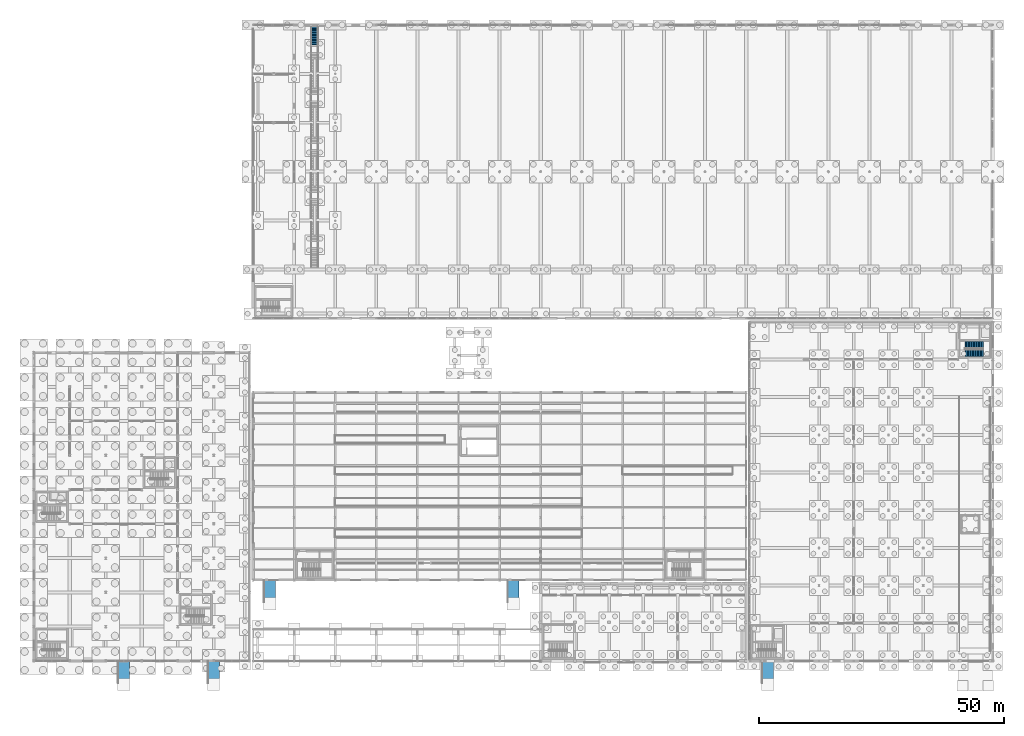
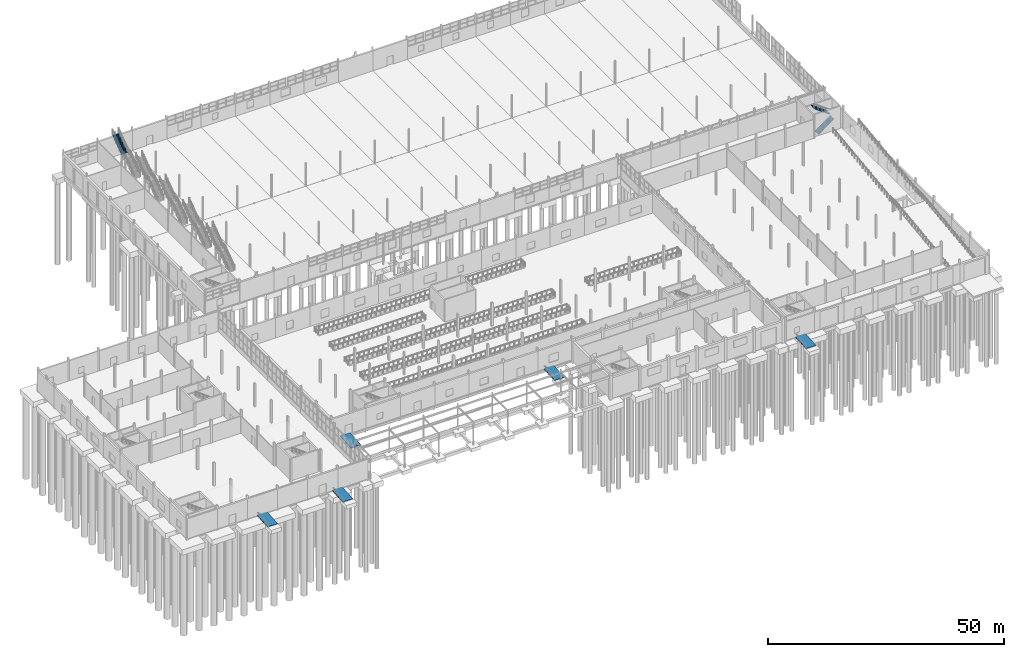
# One storey, part 133 of 139: 5 ramp flights, 3 stair flights, 7 elements without a shape of their own.
"""IFC4 building model written with IfcOpenShell, lengths in metres."""

from ifc_helpers import new_model, si_unit, direction, frame, origin, place, context, subcontext, project, spatial, polyline, outline, extrude, material, layer, layer_set, type_object, element, aggregate, save


model = new_model("IFC4")

# Units and contexts
model_context = context("Model", 3, precision=1e-05, world=origin(), true_north=direction((0.0, 1.0)))
body_context = subcontext(model_context, "Body", "Model", "MODEL_VIEW")
ifc_project = project(units=[si_unit("LENGTHUNIT", "METRE"), si_unit("AREAUNIT", "SQUARE_METRE"), si_unit("VOLUMEUNIT", "CUBIC_METRE"), si_unit("PLANEANGLEUNIT", "RADIAN"), si_unit("MASSUNIT", "GRAM", prefix="KILO")], contexts=[model_context])

# Site, building, storey
site_placement = place(None, origin())
site = spatial("IfcSite", under=ifc_project, at=site_placement, CompositionType="ELEMENT")
building_placement = place(site_placement, origin())
building = spatial("IfcBuilding", under=site, at=building_placement, Name="Kazenagashi Tramway Depot", CompositionType="ELEMENT")
storey_placement = place(building_placement, origin())
storey = spatial("IfcBuildingStorey", under=building, at=storey_placement, Name="L01", CompositionType="ELEMENT", Elevation=0.0)

# Stair, stair flights
ifc_material = material(Name="Concrete Fc36", Category="concrete")
stair_type_1 = type_object("IfcStairType", Name="ST-T2", PredefinedType="USERDEFINED", material=ifc_material)
stair_1_placement = place(storey_placement, origin())
stair_1 = element("IfcStair", 1, at=stair_1_placement, inside=storey, type_object=stair_type_1, Name="Enclosed Escape Stair ST-25", ObjectType="TWO_RETURN_STAIR", PredefinedType="USERDEFINED")
ifc_layer_1 = layer(ifc_material, 0.18)
ifc_layer_set_1 = layer_set([ifc_layer_1], Name="Concrete Fc36")
stair_flight_type_1 = type_object("IfcStairFlightType", Name="SF-F01", PredefinedType="STRAIGHT", material=ifc_layer_set_1)
stair_flight_1_placement = place(storey_placement, frame((190.32, 62.945, 0.0), z_axis=(0.0, 0.0, 1.0), x_axis=(1.0, 0.0, 0.0)))
stair_flight_1 = element("IfcStairFlight", 2, at=stair_flight_1_placement, type_object=stair_flight_type_1, Name="ST-25 flight 1", NumberOfRisers=16, NumberOfTreads=15, PredefinedType="STRAIGHT", RiserHeight=0.1875, TreadLength=0.252, context=body_context, shape_type="SweptSolid", body=[
    extrude(outline(polyline([(0.0, 0.0), (0.0, 0.1875), (0.252, 0.1875), (0.252, 0.375), (0.504, 0.375), (0.504, 0.5625), (0.756, 0.5625), (0.756, 0.75), (1.008, 0.75), (1.008, 0.9375), (1.26, 0.9375), (1.26, 1.125), (1.512, 1.125), (1.512, 1.3125), (1.764, 1.3125), (1.764, 1.5), (2.016, 1.5), (2.016, 1.6875), (2.268, 1.6875), (2.268, 1.875), (2.52, 1.875), (2.52, 2.0625), (2.772, 2.0625), (2.772, 2.25), (3.024, 2.25), (3.024, 2.4375), (3.276, 2.4375), (3.276, 2.625), (3.528, 2.625), (3.528, 2.8125), (3.78, 2.8125), (3.78, 3.0), (3.78, 2.625534), (0.251282, 0.0), (0.0, 0.0)])), frame((0.0, 0.725, 0.0), z_axis=(0.0, -1.0, 0.0), x_axis=(1.0, 0.0, 0.0)), (0.0, 0.0, 1.0), 1.45),
])
stair_flight_2_placement = place(storey_placement, frame((194.06, 64.555, 3.0), z_axis=(0.0, 0.0, 1.0), x_axis=(-1.0, 0.0, 0.0)))
stair_flight_2 = element("IfcStairFlight", 3, at=stair_flight_2_placement, type_object=stair_flight_type_1, Name="ST-25 flight 2", NumberOfRisers=16, NumberOfTreads=15, PredefinedType="STRAIGHT", RiserHeight=0.1875, TreadLength=0.252, context=body_context, shape_type="SweptSolid", body=[
    extrude(outline(polyline([(0.0, 0.0), (0.0, 0.1875), (0.252, 0.1875), (0.252, 0.375), (0.504, 0.375), (0.504, 0.5625), (0.756, 0.5625), (0.756, 0.75), (1.008, 0.75), (1.008, 0.9375), (1.26, 0.9375), (1.26, 1.125), (1.512, 1.125), (1.512, 1.3125), (1.764, 1.3125), (1.764, 1.5), (2.016, 1.5), (2.016, 1.6875), (2.268, 1.6875), (2.268, 1.875), (2.52, 1.875), (2.52, 2.0625), (2.772, 2.0625), (2.772, 2.25), (3.024, 2.25), (3.024, 2.4375), (3.276, 2.4375), (3.276, 2.625), (3.528, 2.625), (3.528, 2.8125), (3.78, 2.8125), (3.78, 3.0), (3.78, 2.625534), (0.251282, 0.0), (0.0, 0.0)])), frame((0.0, 0.725, 0.0), z_axis=(0.0, -1.0, 0.0), x_axis=(1.0, 0.0, 0.0)), (0.0, 0.0, 1.0), 1.45),
])
aggregate(stair_1, [stair_flight_1, stair_flight_2])

# Stair, stair flight
stair_type_2 = type_object("IfcStairType", Name="ST-S1", PredefinedType="STRAIGHT_RUN_STAIR", material=ifc_material)
stair_2_placement = place(storey_placement, origin())
stair_2 = element("IfcStair", 4, at=stair_2_placement, inside=storey, type_object=stair_type_2, Name="Straight Run Stair ST-33", PredefinedType="STRAIGHT_RUN_STAIR")
ifc_layer_2 = layer(ifc_material, 0.18)
ifc_layer_set_2 = layer_set([ifc_layer_2], Name="Concrete Fc36")
stair_flight_type_2 = type_object("IfcStairFlightType", Name="SF-F02", PredefinedType="STRAIGHT", material=ifc_layer_set_2)
stair_flight_3_placement = place(storey_placement, frame((57.4, 125.78, 3.0), z_axis=(0.0, 0.0, 1.0), x_axis=(0.0, 1.0, 0.0)))
stair_flight_3 = element("IfcStairFlight", 5, at=stair_flight_3_placement, type_object=stair_flight_type_2, Name="ST-33 flight 2", NumberOfRisers=16, NumberOfTreads=15, PredefinedType="STRAIGHT", RiserHeight=0.1875, TreadLength=0.252, context=body_context, shape_type="SweptSolid", body=[
    extrude(outline(polyline([(0.0, 0.0), (0.0, 0.1875), (0.252, 0.1875), (0.252, 0.375), (0.504, 0.375), (0.504, 0.5625), (0.756, 0.5625), (0.756, 0.75), (1.008, 0.75), (1.008, 0.9375), (1.26, 0.9375), (1.26, 1.125), (1.512, 1.125), (1.512, 1.3125), (1.764, 1.3125), (1.764, 1.5), (2.016, 1.5), (2.016, 1.6875), (2.268, 1.6875), (2.268, 1.875), (2.52, 1.875), (2.52, 2.0625), (2.772, 2.0625), (2.772, 2.25), (3.024, 2.25), (3.024, 2.4375), (3.276, 2.4375), (3.276, 2.625), (3.528, 2.625), (3.528, 2.8125), (3.78, 2.8125), (3.78, 3.0), (3.78, 2.625534), (0.251282, 0.0), (0.0, 0.0)])), frame((0.0, 0.75, 0.0), z_axis=(0.0, -1.0, 0.0), x_axis=(1.0, 0.0, 0.0)), (0.0, 0.0, 1.0), 1.5),
])
aggregate(stair_2, [stair_flight_3])

# Ramp, ramp flight
ramp_type = type_object("IfcRampType", Name="RM-02", PredefinedType="STRAIGHT_RUN_RAMP", material=ifc_material)
ramp_1_placement = place(storey_placement, origin())
ramp_1 = element("IfcRamp", 6, at=ramp_1_placement, inside=storey, type_object=ramp_type, Name="South Boulevard Barrier-Free Entrance Ramp", PredefinedType="STRAIGHT_RUN_RAMP")
ifc_layer_3 = layer(ifc_material, 0.22)
ifc_layer_set_3 = layer_set([ifc_layer_3], Name="Concrete Fc36")
ramp_flight_type = type_object("IfcRampFlightType", Name="RF-02", PredefinedType="STRAIGHT", material=ifc_layer_set_3)
ramp_flight_1_placement = place(storey_placement, frame((18.375, -4.55, -0.3), z_axis=(0.0, 0.0, 1.0), x_axis=(0.0, 1.0, 0.0)))
ramp_flight_1 = element("IfcRampFlight", 7, at=ramp_flight_1_placement, type_object=ramp_flight_type, Name="South Boulevard Barrier-Free Entrance Ramp Flight", PredefinedType="STRAIGHT", context=body_context, shape_type="SweptSolid", body=[
    extrude(outline(polyline([(0.0, 0.0), (4.6, 0.3), (4.6, 0.08), (0.0, -0.22), (0.0, 0.0)])), frame((0.0, 1.2, 0.0), z_axis=(0.0, -1.0, 0.0), x_axis=(1.0, 0.0, 0.0)), (0.0, 0.0, 1.0), 2.4),
])
aggregate(ramp_1, [ramp_flight_1])

ramp_2_placement = place(storey_placement, origin())
ramp_2 = element("IfcRamp", 8, at=ramp_2_placement, inside=storey, type_object=ramp_type, Name="Transit Foyer Barrier-Free Entrance Ramp", PredefinedType="STRAIGHT_RUN_RAMP")
ramp_flight_2_placement = place(storey_placement, frame((36.75, -4.55, -0.3), z_axis=(0.0, 0.0, 1.0), x_axis=(0.0, 1.0, 0.0)))
ramp_flight_2 = element("IfcRampFlight", 9, at=ramp_flight_2_placement, type_object=ramp_flight_type, Name="Transit Foyer Barrier-Free Entrance Ramp Flight", PredefinedType="STRAIGHT", context=body_context, shape_type="SweptSolid", body=[
    extrude(outline(polyline([(0.0, 0.0), (4.6, 0.3), (4.6, 0.08), (0.0, -0.22), (0.0, 0.0)])), frame((0.0, 1.2, 0.0), z_axis=(0.0, -1.0, 0.0), x_axis=(1.0, 0.0, 0.0)), (0.0, 0.0, 1.0), 2.4),
])
aggregate(ramp_2, [ramp_flight_2])

ramp_3_placement = place(storey_placement, origin())
ramp_3 = element("IfcRamp", 10, at=ramp_3_placement, inside=storey, type_object=ramp_type, Name="Overhaul West Access Ramp", PredefinedType="STRAIGHT_RUN_RAMP")
ramp_flight_3_placement = place(storey_placement, frame((48.2, 11.95, -0.3), z_axis=(0.0, 0.0, 1.0), x_axis=(0.0, 1.0, 0.0)))
ramp_flight_3 = element("IfcRampFlight", 11, at=ramp_flight_3_placement, type_object=ramp_flight_type, Name="Overhaul West Access Ramp Flight", PredefinedType="STRAIGHT", context=body_context, shape_type="SweptSolid", body=[
    extrude(outline(polyline([(0.0, 0.0), (4.6, 0.3), (4.6, 0.08), (0.0, -0.22), (0.0, 0.0)])), frame((0.0, 1.2, 0.0), z_axis=(0.0, -1.0, 0.0), x_axis=(1.0, 0.0, 0.0)), (0.0, 0.0, 1.0), 2.4),
])
aggregate(ramp_3, [ramp_flight_3])

ramp_4_placement = place(storey_placement, origin())
ramp_4 = element("IfcRamp", 12, at=ramp_4_placement, inside=storey, type_object=ramp_type, Name="Overhaul East Access Ramp", PredefinedType="STRAIGHT_RUN_RAMP")
ramp_flight_4_placement = place(storey_placement, frame((98.0, 11.95, -0.3), z_axis=(0.0, 0.0, 1.0), x_axis=(0.0, 1.0, 0.0)))
ramp_flight_4 = element("IfcRampFlight", 13, at=ramp_flight_4_placement, type_object=ramp_flight_type, Name="Overhaul East Access Ramp Flight", PredefinedType="STRAIGHT", context=body_context, shape_type="SweptSolid", body=[
    extrude(outline(polyline([(0.0, 0.0), (4.6, 0.3), (4.6, 0.08), (0.0, -0.22), (0.0, 0.0)])), frame((0.0, 1.2, 0.0), z_axis=(0.0, -1.0, 0.0), x_axis=(1.0, 0.0, 0.0)), (0.0, 0.0, 1.0), 2.4),
])
aggregate(ramp_4, [ramp_flight_4])

ramp_5_placement = place(storey_placement, origin())
ramp_5 = element("IfcRamp", 14, at=ramp_5_placement, inside=storey, type_object=ramp_type, Name="Wash Plant Pedestrian Access Ramp", PredefinedType="STRAIGHT_RUN_RAMP")
ramp_flight_5_placement = place(storey_placement, frame((150.0, -4.55, -0.3), z_axis=(0.0, 0.0, 1.0), x_axis=(0.0, 1.0, 0.0)))
ramp_flight_5 = element("IfcRampFlight", 15, at=ramp_flight_5_placement, type_object=ramp_flight_type, Name="Wash Plant Pedestrian Access Ramp Flight", PredefinedType="STRAIGHT", context=body_context, shape_type="SweptSolid", body=[
    extrude(outline(polyline([(0.0, 0.0), (4.6, 0.3), (4.6, 0.08), (0.0, -0.22), (0.0, 0.0)])), frame((0.0, 1.2, 0.0), z_axis=(0.0, -1.0, 0.0), x_axis=(1.0, 0.0, 0.0)), (0.0, 0.0, 1.0), 2.4),
])
aggregate(ramp_5, [ramp_flight_5])

save(model, "model.ifc")
